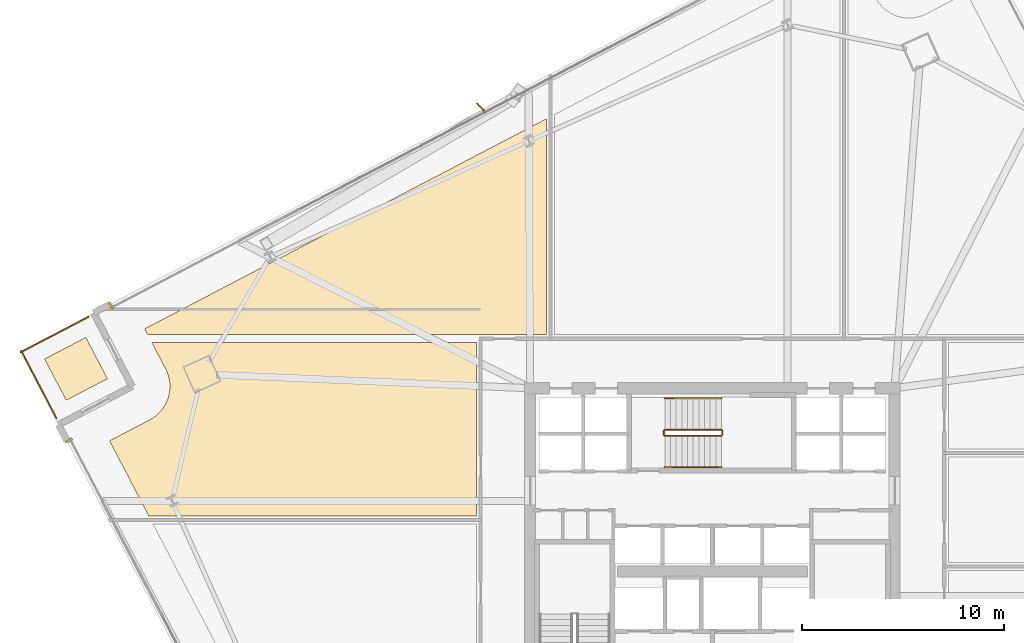
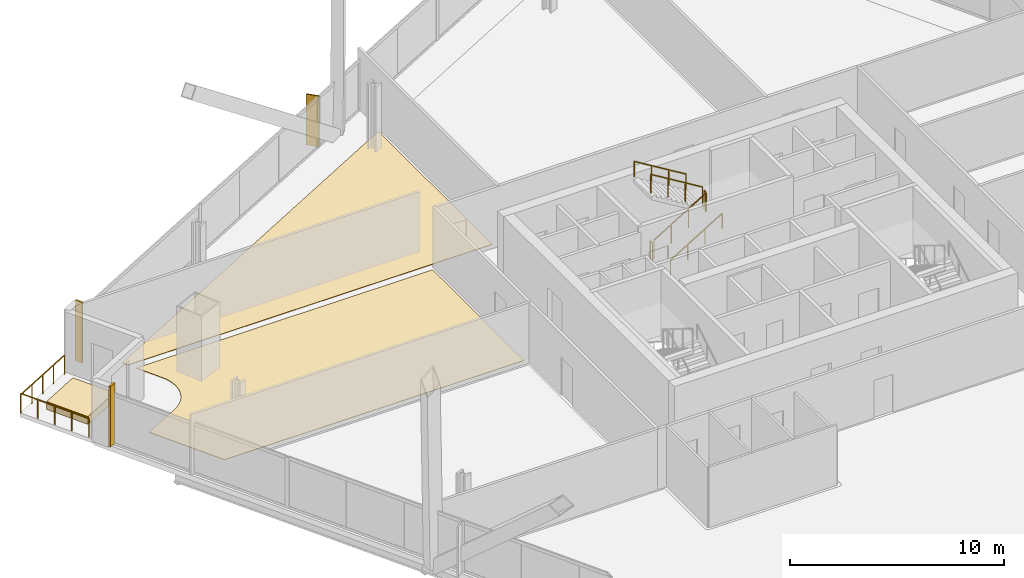
# One storey, part 32 of 33: 8 railings, 5 coverings, 1 shading device.
"""IFC4 building model written with IfcOpenShell, lengths in metres."""

from ifc_helpers import new_model, si_unit, direction, frame, origin, origin_2d, place, context, subcontext, project, spatial, polyline, rectangle, outline, extrude, source, transform, mapped, material, layer, layer_set, type_object, element, save


model = new_model("IFC4")

# Units and contexts
model_context = context("Model", 3, precision=1e-05, world=origin(), true_north=direction((0.0, 1.0)))
body_context = subcontext(model_context, "Body", "Model", "MODEL_VIEW")
ifc_project = project(units=[si_unit("LENGTHUNIT", "METRE"), si_unit("AREAUNIT", "SQUARE_METRE"), si_unit("VOLUMEUNIT", "CUBIC_METRE"), si_unit("PLANEANGLEUNIT", "RADIAN"), si_unit("MASSUNIT", "GRAM", prefix="KILO")], contexts=[model_context])

# Site, building, storey
site_placement = place(None, origin())
site = spatial("IfcSite", under=ifc_project, at=site_placement, CompositionType="ELEMENT")
building_placement = place(site_placement, origin())
building = spatial("IfcBuilding", under=site, at=building_placement, Name="Haldenkirk Collegiate Tower", CompositionType="ELEMENT")
storey_placement = place(building_placement, frame((0.0, 0.0, 120.449951171875)))
storey = spatial("IfcBuildingStorey", under=building, at=storey_placement, Name="L29", CompositionType="ELEMENT", Elevation=120.449951171875)

# Coverings
ifc_material_1 = material(Name="Polished collegiate terrazzo", Category="concrete")
ifc_layer_1 = layer(ifc_material_1, 0.02490234375)
ifc_layer_set_1 = layer_set([ifc_layer_1], Name="Polished collegiate terrazzo")
covering_type_1 = type_object("IfcCoveringType", Name="COV-FLOOR-TERRAZZO", PredefinedType="FLOORING", material=ifc_layer_set_1)
covering_1_placement = place(storey_placement, origin())
element("IfcCovering", 1, at=covering_1_placement, inside=storey, type_object=covering_type_1, Name="L29 academic room finish 02", PredefinedType="FLOORING", context=body_context, shape_type="SweptSolid", body=[
    extrude(outline(polyline([(27.800048828125, 47.305419921875), (27.800048828125, 36.64990234375), (8.1123046875, 36.64990234375), (7.96337890625, 36.93505859375), (27.800048828125, 47.305419921875)])), origin(), (0.0, 0.0, 1.0), 0.025146484375),
])
covering_2_placement = place(storey_placement, origin())
element("IfcCovering", 2, at=covering_2_placement, inside=storey, type_object=covering_type_1, Name="L29 academic room finish 06", PredefinedType="FLOORING", context=body_context, shape_type="SweptSolid", body=[
    extrude(outline(polyline([(8.205810546875, 32.435302734375), (8.2109375, 32.43798828125), (8.35888671875, 32.525146484375), (8.368896484375, 32.531494140625), (8.507568359375, 32.632568359375), (8.516845703125, 32.639892578125), (8.64501953125, 32.754150390625), (8.653564453125, 32.762451171875), (8.77001953125, 32.888671875), (8.777587890625, 32.897705078125), (8.881103515625, 33.03466796875), (8.8876953125, 33.04443359375), (8.977294921875, 33.19091796875), (8.98291015625, 33.201171875), (9.057861328125, 33.355712890625), (9.0625, 33.36669921875), (9.121826171875, 33.52783203125), (9.125244140625, 33.538818359375), (9.168701171875, 33.705078125), (9.1708984375, 33.716796875), (9.19775390625, 33.88623046875), (9.198974609375, 33.89794921875), (9.208984375, 34.069580078125), (9.208984375, 34.081298828125), (9.202392578125, 34.2529296875), (9.201416015625, 34.2646484375), (9.177490234375, 34.434814453125), (9.17529296875, 34.4462890625), (9.13525390625, 34.61328125), (9.1318359375, 34.62451171875), (9.07568359375, 34.78662109375), (9.071044921875, 34.797607421875), (8.9990234375, 34.95361328125), (8.99658203125, 34.958984375), (8.321533203125, 36.25), (24.35009765625, 36.25), (24.35009765625, 27.699951171875), (8.164794921875, 27.699951171875), (6.2294921875, 31.402099609375), (8.205810546875, 32.435302734375)])), origin(), (0.0, 0.0, 1.0), 0.025146484375),
])
ifc_material_2 = material(Name="Precast concrete f'c 40 MPa", Category="concrete")
ifc_layer_2 = layer(ifc_material_2, 0.449951171875)
ifc_layer_set_2 = layer_set([ifc_layer_2], Name="Precast concrete f'c 40 MPa")
covering_type_2 = type_object("IfcCoveringType", Name="COV-PLANTER-450", PredefinedType="USERDEFINED", material=ifc_layer_set_2)
covering_3_placement = place(storey_placement, origin())
element("IfcCovering", 3, at=covering_3_placement, inside=storey, type_object=covering_type_2, Name="L29 planted garden planter bed", ObjectType="PLANTER", PredefinedType="USERDEFINED", context=body_context, shape_type="SweptSolid", body=[
    extrude(outline(polyline([(4.08642578125, 33.407470703125), (3.02099609375, 35.44580078125), (5.05908203125, 36.511474609375), (6.124755859375, 34.47314453125), (4.08642578125, 33.407470703125)])), origin(), (0.0, 0.0, 1.0), 0.449951171875),
])

# Railings
ifc_material_3 = material(Name="Painted architectural tubular steel", Category="steel")
railing_type_1 = type_object("IfcRailingType", Name="RLG-STAIR-GUARD-1100", PredefinedType="BALUSTRADE", material=ifc_material_3)
railing_1_placement = place(storey_placement, frame((33.64990234375, 31.64990234375, 0.17041015625)))
element("IfcRailing", 4, at=railing_1_placement, inside=storey, type_object=railing_type_1, Name="L29 ST-3 stair guard 1", PredefinedType="BALUSTRADE", context=body_context, shape_type="SweptSolid", body=[
    extrude(rectangle(XDim=0.048095703125, YDim=0.048095703125, at=origin_2d()), frame((0.0, 0.0, 1.076171875), z_axis=(0.854169791009, 0.0, 0.51999420009), x_axis=(0.0, 1.0, 0.0)), (0.0, 0.0, 1.0), 3.278076171875),
    extrude(rectangle(XDim=0.0419921875, YDim=0.0419921875, at=origin_2d()), origin(), (0.0, 0.0, 1.0), 1.052001953125),
    extrude(rectangle(XDim=0.0419921875, YDim=0.0419921875, at=origin_2d()), frame((0.933349609375, 0.0, 0.568115234375)), (0.0, 0.0, 1.0), 1.052001953125),
    extrude(rectangle(XDim=0.0419921875, YDim=0.0419921875, at=origin_2d()), frame((1.86669921875, 0.0, 1.136474609375)), (0.0, 0.0, 1.0), 1.052001953125),
    extrude(rectangle(XDim=0.0419921875, YDim=0.0419921875, at=origin_2d()), frame((2.800048828125, 0.0, 1.70458984375)), (0.0, 0.0, 1.0), 1.052001953125),
])
railing_2_placement = place(storey_placement, frame((36.5, 31.699951171875, 1.875)))
element("IfcRailing", 5, at=railing_2_placement, inside=storey, type_object=railing_type_1, Name="L29 ST-3 stair guard 2", PredefinedType="BALUSTRADE", context=body_context, shape_type="SweptSolid", body=[
    extrude(rectangle(XDim=0.048095703125, YDim=0.048095703125, at=origin_2d()), frame((0.0, 0.0, 1.076171875), z_axis=(0.0, 1.0, 0.0), x_axis=(-1.0, 0.0, 0.0)), (0.0, 0.0, 1.0), 0.199951171875),
    extrude(rectangle(XDim=0.0419921875, YDim=0.0419921875, at=origin_2d()), origin(), (0.0, 0.0, 1.0), 1.052001953125),
    extrude(rectangle(XDim=0.0419921875, YDim=0.0419921875, at=origin_2d()), frame((0.0, 0.199951171875, 0.0)), (0.0, 0.0, 1.0), 1.052001953125),
])
railing_3_placement = place(storey_placement, frame((36.449951171875, 31.949951171875, 2.04541015625)))
element("IfcRailing", 6, at=railing_3_placement, inside=storey, type_object=railing_type_1, Name="L29 ST-3 stair guard 3", PredefinedType="BALUSTRADE", context=body_context, shape_type="SweptSolid", body=[
    extrude(rectangle(XDim=0.048095703125, YDim=0.048095703125, at=origin_2d()), frame((0.0, 0.0, 1.076171875), z_axis=(-0.854169791009, 0.0, 0.51999420009), x_axis=(0.0, -1.0, 0.0)), (0.0, 0.0, 1.0), 3.278076171875),
    extrude(rectangle(XDim=0.0419921875, YDim=0.0419921875, at=origin_2d()), origin(), (0.0, 0.0, 1.0), 1.052001953125),
    extrude(rectangle(XDim=0.0419921875, YDim=0.0419921875, at=origin_2d()), frame((-0.933349609375, 0.0, 0.568115234375)), (0.0, 0.0, 1.0), 1.052001953125),
    extrude(rectangle(XDim=0.0419921875, YDim=0.0419921875, at=origin_2d()), frame((-1.86669921875, 0.0, 1.136474609375)), (0.0, 0.0, 1.0), 1.052001953125),
    extrude(rectangle(XDim=0.0419921875, YDim=0.0419921875, at=origin_2d()), frame((-2.800048828125, 0.0, 1.70458984375)), (0.0, 0.0, 1.0), 1.052001953125),
])
railing_4_placement = place(storey_placement, frame((33.60009765625, 31.699951171875, 0.0)))
element("IfcRailing", 7, at=railing_4_placement, inside=storey, type_object=railing_type_1, Name="L29 ST-3 stair guard 4", PredefinedType="BALUSTRADE", context=body_context, shape_type="SweptSolid", body=[
    extrude(rectangle(XDim=0.048095703125, YDim=0.048095703125, at=origin_2d()), frame((0.0, 0.0, 1.076171875), z_axis=(0.0, 1.0, 0.0), x_axis=(-1.0, 0.0, 0.0)), (0.0, 0.0, 1.0), 0.199951171875),
    extrude(rectangle(XDim=0.0419921875, YDim=0.0419921875, at=origin_2d()), origin(), (0.0, 0.0, 1.0), 1.052001953125),
    extrude(rectangle(XDim=0.0419921875, YDim=0.0419921875, at=origin_2d()), frame((0.0, 0.199951171875, 0.0)), (0.0, 0.0, 1.0), 1.052001953125),
])
railing_type_2 = type_object("IfcRailingType", Name="RLG-STAIR-HANDRAIL-900", PredefinedType="HANDRAIL", material=ifc_material_3)
railing_5_placement = place(storey_placement, frame((33.64990234375, 30.10009765625, 0.17041015625)))
element("IfcRailing", 8, at=railing_5_placement, inside=storey, type_object=railing_type_2, Name="L29 ST-3 stair handrail 1", PredefinedType="HANDRAIL", context=body_context, shape_type="SweptSolid", body=[
    extrude(rectangle(XDim=0.048095703125, YDim=0.048095703125, at=origin_2d()), frame((0.0, 0.0, 0.8759765625), z_axis=(0.854169791009, 0.0, 0.51999420009), x_axis=(0.0, 1.0, 0.0)), (0.0, 0.0, 1.0), 3.278076171875),
    extrude(rectangle(XDim=0.0419921875, YDim=0.0419921875, at=origin_2d()), origin(), (0.0, 0.0, 1.0), 0.851806640625),
    extrude(rectangle(XDim=0.0419921875, YDim=0.0419921875, at=origin_2d()), frame((0.933349609375, 0.0, 0.568115234375)), (0.0, 0.0, 1.0), 0.851806640625),
    extrude(rectangle(XDim=0.0419921875, YDim=0.0419921875, at=origin_2d()), frame((1.86669921875, 0.0, 1.136474609375)), (0.0, 0.0, 1.0), 0.851806640625),
    extrude(rectangle(XDim=0.0419921875, YDim=0.0419921875, at=origin_2d()), frame((2.800048828125, 0.0, 1.70458984375)), (0.0, 0.0, 1.0), 0.851806640625),
])
railing_6_placement = place(storey_placement, frame((36.449951171875, 33.5, 2.04541015625)))
element("IfcRailing", 9, at=railing_6_placement, inside=storey, type_object=railing_type_2, Name="L29 ST-3 stair handrail 2", PredefinedType="HANDRAIL", context=body_context, shape_type="SweptSolid", body=[
    extrude(rectangle(XDim=0.048095703125, YDim=0.048095703125, at=origin_2d()), frame((0.0, 0.0, 0.8759765625), z_axis=(-0.854169791009, 0.0, 0.51999420009), x_axis=(0.0, -1.0, 0.0)), (0.0, 0.0, 1.0), 3.278076171875),
    extrude(rectangle(XDim=0.0419921875, YDim=0.0419921875, at=origin_2d()), origin(), (0.0, 0.0, 1.0), 0.851806640625),
    extrude(rectangle(XDim=0.0419921875, YDim=0.0419921875, at=origin_2d()), frame((-0.933349609375, 0.0, 0.568115234375)), (0.0, 0.0, 1.0), 0.851806640625),
    extrude(rectangle(XDim=0.0419921875, YDim=0.0419921875, at=origin_2d()), frame((-1.86669921875, 0.0, 1.136474609375)), (0.0, 0.0, 1.0), 0.851806640625),
    extrude(rectangle(XDim=0.0419921875, YDim=0.0419921875, at=origin_2d()), frame((-2.800048828125, 0.0, 1.70458984375)), (0.0, 0.0, 1.0), 0.851806640625),
])
ifc_material_4 = material(Name="Anodised architectural bronze aluminium", Category="aluminium")
railing_type_3 = type_object("IfcRailingType", Name="RLG-TERR-BALUSTRADE-1100", PredefinedType="BALUSTRADE", material=ifc_material_4)
railing_7_placement = place(storey_placement, frame((5.18408203125, 37.5244140625, 0.0)))
element("IfcRailing", 10, at=railing_7_placement, inside=storey, type_object=railing_type_3, Name="L29 terrace guard balustrade 3-1", PredefinedType="BALUSTRADE", context=body_context, shape_type="SweptSolid", body=[
    extrude(rectangle(XDim=0.048095703125, YDim=0.048095703125, at=origin_2d()), frame((0.0, 0.0, 1.076171875), z_axis=(-0.886221828278, -0.463261126238, 0.0), x_axis=(0.463261126238, -0.886221828278, 0.0)), (0.0, 0.0, 1.0), 3.7802734375),
    extrude(rectangle(XDim=0.0419921875, YDim=0.0419921875, at=origin_2d()), origin(), (0.0, 0.0, 1.0), 1.052001953125),
    extrude(rectangle(XDim=0.0419921875, YDim=0.0419921875, at=origin_2d()), frame((-0.83740234375, -0.437744140625, 0.0)), (0.0, 0.0, 1.0), 1.052001953125),
    extrude(rectangle(XDim=0.0419921875, YDim=0.0419921875, at=origin_2d()), frame((-1.675048828125, -0.87548828125, 0.0)), (0.0, 0.0, 1.0), 1.052001953125),
    extrude(rectangle(XDim=0.0419921875, YDim=0.0419921875, at=origin_2d()), frame((-2.5126953125, -1.3134765625, 0.0)), (0.0, 0.0, 1.0), 1.052001953125),
    extrude(rectangle(XDim=0.0419921875, YDim=0.0419921875, at=origin_2d()), frame((-3.35009765625, -1.751220703125, 0.0)), (0.0, 0.0, 1.0), 1.052001953125),
])
railing_8_placement = place(storey_placement, frame((1.859619140625, 35.854248046875, 0.0)))
element("IfcRailing", 11, at=railing_8_placement, inside=storey, type_object=railing_type_3, Name="L29 terrace guard balustrade 4-1", PredefinedType="BALUSTRADE", context=body_context, shape_type="SweptSolid", body=[
    extrude(rectangle(XDim=0.048095703125, YDim=0.048095703125, at=origin_2d()), frame((0.0, 0.0, 1.076171875), z_axis=(0.463287642652, -0.886207966657, 0.0), x_axis=(0.886207966657, 0.463287642652, 0.0)), (0.0, 0.0, 1.0), 3.780029296875),
    extrude(rectangle(XDim=0.0419921875, YDim=0.0419921875, at=origin_2d()), origin(), (0.0, 0.0, 1.0), 1.052001953125),
    extrude(rectangle(XDim=0.0419921875, YDim=0.0419921875, at=origin_2d()), frame((0.437744140625, -0.83740234375, 0.0)), (0.0, 0.0, 1.0), 1.052001953125),
    extrude(rectangle(XDim=0.0419921875, YDim=0.0419921875, at=origin_2d()), frame((0.87548828125, -1.6748046875, 0.0)), (0.0, 0.0, 1.0), 1.052001953125),
    extrude(rectangle(XDim=0.0419921875, YDim=0.0419921875, at=origin_2d()), frame((1.3134765625, -2.512451171875, 0.0)), (0.0, 0.0, 1.0), 1.052001953125),
    extrude(rectangle(XDim=0.0419921875, YDim=0.0419921875, at=origin_2d()), frame((1.751220703125, -3.349853515625, 0.0)), (0.0, 0.0, 1.0), 1.052001953125),
])

# Coverings
ifc_layer_3 = layer(ifc_material_4, 0.06005859375)
ifc_layer_set_3 = layer_set([ifc_layer_3], Name="Anodised architectural bronze aluminium")
covering_type_3 = type_object("IfcCoveringType", Name="COV-CLAD-BRONZE-60", PredefinedType="CLADDING", material=ifc_layer_set_3)
shared_shape_1 = source(origin(), body_context, "Body", "SweptSolid", [
    extrude(rectangle(XDim=0.10009765625, YDim=0.3798828125, at=origin_2d()), origin(), (0.0, 0.0, 1.0), 3.449951171875),
])
for number, where, z_axis, x_axis, name in (
    (12, (6.3056640625, 38.076904296875, 0.0), (0.0, 0.0, 1.0), (0.886203579231, 0.46329603512, 0.0), "L29 recessed curtain-wall bronze jamb closure NJL"),
    (13, (4.216552734375, 31.410400390625, 0.0), (0.0, 0.0, 1.0), (-0.46329603512, 0.886203579231, 0.0), "L29 recessed curtain-wall bronze jamb closure WJR"),
):
    element("IfcCovering", number, at=place(storey_placement, frame(where, z_axis=z_axis, x_axis=x_axis)), inside=storey, type_object=covering_type_3, Name=name, PredefinedType="CLADDING", context=body_context, shape_type="MappedRepresentation", body=[
        mapped(shared_shape_1, transform((0.0, 0.0, 0.0), x_axis=(1.0, 0.0, 0.0), y_axis=(0.0, 1.0, 0.0), z_axis=(0.0, 0.0, 1.0), scale=1.0)),
    ])

# Shading device
ifc_layer_4 = layer(ifc_material_4, 0.06494140625)
ifc_layer_set_4 = layer_set([ifc_layer_4], Name="Anodised architectural bronze aluminium")
shading_device_type = type_object("IfcShadingDeviceType", Name="SHD-FIN-BRONZE-620", PredefinedType="USERDEFINED", material=ifc_layer_set_4)
shared_shape_2 = source(origin(), body_context, "Body", "SweptSolid", [
    extrude(rectangle(XDim=0.6201171875, YDim=0.06494140625, at=origin_2d()), origin(), (0.0, 0.0, 1.0), 2.90087890625),
])
shading_device_placement = place(storey_placement, frame((24.57275390625, 47.858154296875, 0.0), z_axis=(0.0, 0.0, 1.0), x_axis=(-0.689619543736, 0.724171861437, 0.0)))
element("IfcShadingDevice", 14, at=shading_device_placement, inside=storey, type_object=shading_device_type, Name="L29 folded bronze solar fin 1", ObjectType="FIN", PredefinedType="USERDEFINED", context=body_context, shape_type="MappedRepresentation", body=[
    mapped(shared_shape_2, transform((0.0, 0.0, 0.0), x_axis=(1.0, 0.0, 0.0), y_axis=(0.0, 1.0, 0.0), z_axis=(0.0, 0.0, 1.0), scale=1.0)),
])

save(model, "model.ifc")
